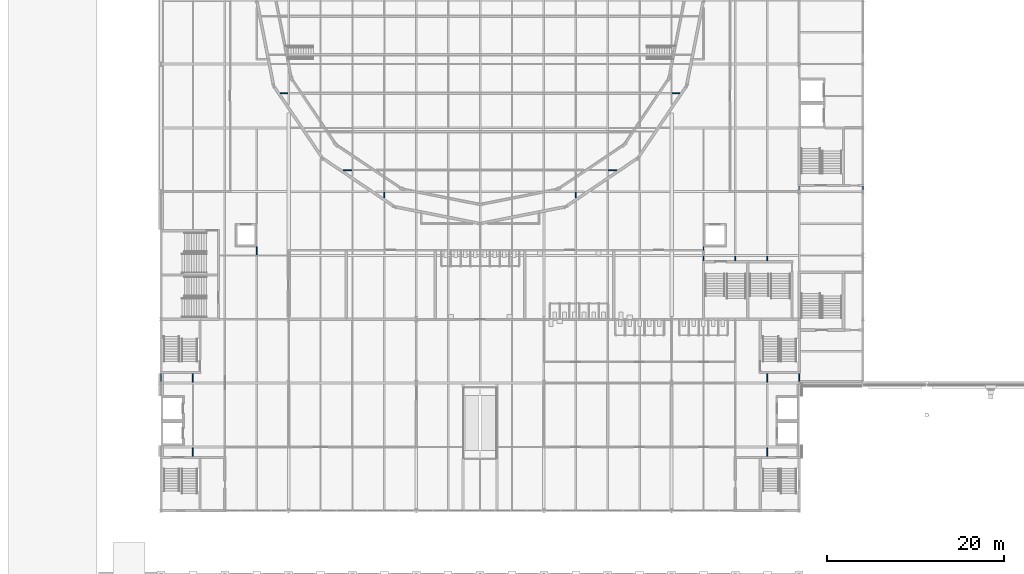
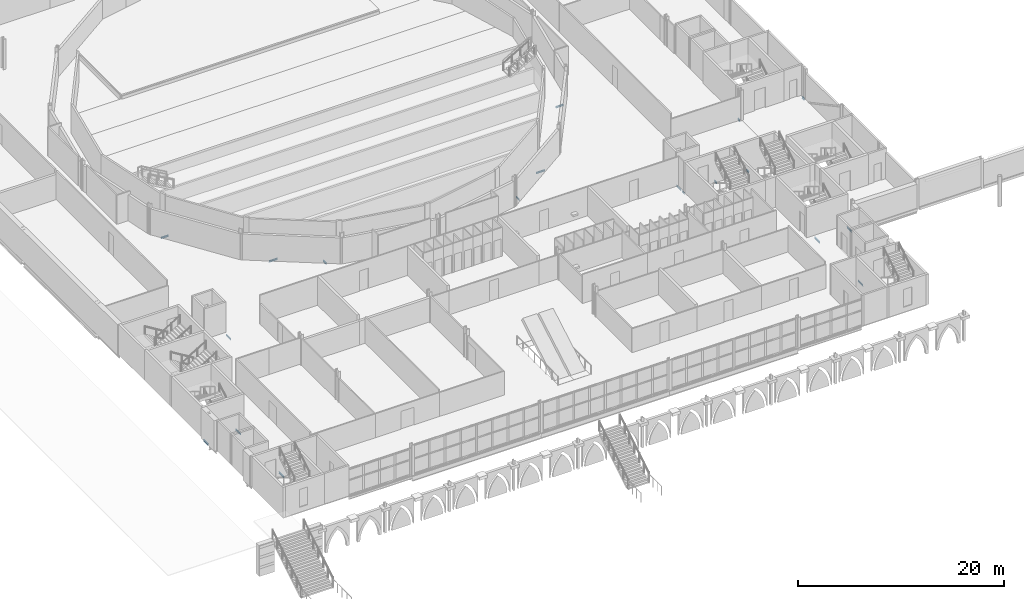
# One storey, part 39 of 90: 19 beams.
"""IFC4 building model written with IfcOpenShell, lengths in metres."""

from ifc_helpers import new_model, si_unit, direction, frame, origin, origin_2d, place, context, subcontext, project, spatial, i_section, extrude, material, material_profile, profile_set, type_object, element, save


model = new_model("IFC4")

# Units and contexts
model_context = context("Model", 3, precision=1e-05, world=origin(), true_north=direction((0.0, 1.0)))
body_context = subcontext(model_context, "Body", "Model", "MODEL_VIEW")
ifc_project = project(units=[si_unit("LENGTHUNIT", "METRE"), si_unit("AREAUNIT", "SQUARE_METRE"), si_unit("VOLUMEUNIT", "CUBIC_METRE"), si_unit("PLANEANGLEUNIT", "RADIAN"), si_unit("MASSUNIT", "GRAM", prefix="KILO")], contexts=[model_context])

# Site, building, storey
site_placement = place(None, origin())
site = spatial("IfcSite", under=ifc_project, at=site_placement, CompositionType="ELEMENT")
building_placement = place(site_placement, origin())
building = spatial("IfcBuilding", under=site, at=building_placement, Name="Kupolbacken Congress Centre", CompositionType="ELEMENT")
storey_placement = place(building_placement, frame((0.0, 0.0, 3.60009765625)))
storey = spatial("IfcBuildingStorey", under=building, at=storey_placement, Name="L01", CompositionType="ELEMENT", Elevation=3.60009765625)

# Beams
ifc_material = material(Name="Steel S355", Category="steel")
ifc_material_profile = material_profile(ifc_material, i_section(OverallWidth=0.10009765625, OverallDepth=0.199951171875, WebThickness=0.005615234375, FlangeThickness=0.008544921875, FilletRadius=0.011962890625, at=origin_2d()), Name="IPE 200")
ifc_profile_set = profile_set([ifc_material_profile], Name="Steel S355")
beam_type = type_object("IfcBeamType", Name="B01 beam IPE 200", PredefinedType="BEAM", material=ifc_profile_set)
for number, where, z_axis, x_axis, name in (
    (1, (7.199951171875, 43.35009765625, -0.280029296875), (0.0, 1.0, 0.0), (-1.0, 0.0, 0.0), "S/floor/F/L01/G003"),
    (2, (79.199951171875, 43.35009765625, -0.280029296875), (0.0, 1.0, 0.0), (-1.0, 0.0, 0.0), "S/floor/F/L01/G014"),
):
    element("IfcBeam", number, at=place(storey_placement, frame(where, z_axis=z_axis, x_axis=x_axis)), inside=storey, type_object=beam_type, Name=name, PredefinedType="BEAM", context=body_context, shape_type="SweptSolid", body=[
        extrude(i_section(OverallWidth=0.10009765625, OverallDepth=0.199951171875, WebThickness=0.005615234375, FlangeThickness=0.008544921875, FilletRadius=0.011962890625, at=origin_2d()), origin(), (0.0, 0.0, 1.0), 0.9248046875),
    ])
for number, where, z_axis, x_axis, name in (
    (3, (10.800048828125, 34.925048828125, -0.280029296875), (0.0, 1.0, 0.0), (-1.0, 0.0, 0.0), "S/floor/F/L01/S040"),
    (4, (10.800048828125, 43.31005859375, -0.280029296875), (0.0, 1.0, 0.0), (-1.0, 0.0, 0.0), "S/floor/F/L01/S042"),
    (5, (75.60009765625, 34.925048828125, -0.280029296875), (0.0, 1.0, 0.0), (-1.0, 0.0, 0.0), "S/floor/F/L01/S081"),
    (6, (75.60009765625, 43.31005859375, -0.280029296875), (0.0, 1.0, 0.0), (-1.0, 0.0, 0.0), "S/floor/F/L01/S083"),
):
    element("IfcBeam", number, at=place(storey_placement, frame(where, z_axis=z_axis, x_axis=x_axis)), inside=storey, type_object=beam_type, Name=name, PredefinedType="BEAM", context=body_context, shape_type="SweptSolid", body=[
        extrude(i_section(OverallWidth=0.10009765625, OverallDepth=0.199951171875, WebThickness=0.005615234375, FlangeThickness=0.008544921875, FilletRadius=0.011962890625, at=origin_2d()), origin(), (0.0, 0.0, 1.0), 0.96484375),
    ])
beam_1_placement = place(storey_placement, frame((79.199951171875, 65.02490234375, -0.2900390625), z_axis=(0.0, 1.0, 0.0), x_axis=(-1.0, 0.0, 0.0)))
element("IfcBeam", 7, at=beam_1_placement, inside=storey, type_object=beam_type, Name="S/floor/P/L01/G033", PredefinedType="BEAM", context=body_context, shape_type="SweptSolid", body=[
    extrude(i_section(OverallWidth=0.10009765625, OverallDepth=0.199951171875, WebThickness=0.005615234375, FlangeThickness=0.008544921875, FilletRadius=0.011962890625, at=origin_2d()), origin(), (0.0, 0.0, 1.0), 0.35009765625),
])
for number, where, z_axis, x_axis, name in (
    (8, (72.0, 57.02490234375, -0.2900390625), (0.0, 1.0, 0.0), (-1.0, 0.0, 0.0), "S/floor/P/L01/S140"),
    (9, (75.60009765625, 57.02490234375, -0.2900390625), (0.0, 1.0, 0.0), (-1.0, 0.0, 0.0), "S/floor/P/L01/S151"),
):
    element("IfcBeam", number, at=place(storey_placement, frame(where, z_axis=z_axis, x_axis=x_axis)), inside=storey, type_object=beam_type, Name=name, PredefinedType="BEAM", context=body_context, shape_type="SweptSolid", body=[
        extrude(i_section(OverallWidth=0.10009765625, OverallDepth=0.199951171875, WebThickness=0.005615234375, FlangeThickness=0.008544921875, FilletRadius=0.011962890625, at=origin_2d()), origin(), (0.0, 0.0, 1.0), 0.465087890625),
    ])
beam_2_placement = place(storey_placement, frame((18.0, 57.679931640625, -0.2900390625), z_axis=(0.0, 1.0, 0.0), x_axis=(-1.0, 0.0, 0.0)))
element("IfcBeam", 10, at=beam_2_placement, inside=storey, type_object=beam_type, Name="S/floor/P/L01/S162", PredefinedType="BEAM", context=body_context, shape_type="SweptSolid", body=[
    extrude(i_section(OverallWidth=0.10009765625, OverallDepth=0.199951171875, WebThickness=0.005615234375, FlangeThickness=0.008544921875, FilletRadius=0.011962890625, at=origin_2d()), origin(), (0.0, 0.0, 1.0), 0.920166015625),
])
beam_3_placement = place(storey_placement, frame((68.39990234375, 57.02490234375, -0.2900390625), z_axis=(0.0, 1.0, 0.0), x_axis=(-1.0, 0.0, 0.0)))
element("IfcBeam", 11, at=beam_3_placement, inside=storey, type_object=beam_type, Name="S/floor/P/L01/S165", PredefinedType="BEAM", context=body_context, shape_type="SweptSolid", body=[
    extrude(i_section(OverallWidth=0.10009765625, OverallDepth=0.199951171875, WebThickness=0.005615234375, FlangeThickness=0.008544921875, FilletRadius=0.011962890625, at=origin_2d()), origin(), (0.0, 0.0, 1.0), 0.465087890625),
])
beam_4_placement = place(storey_placement, frame((68.39990234375, 57.7099609375, -0.2900390625), z_axis=(0.0, 1.0, 0.0), x_axis=(-1.0, 0.0, 0.0)))
element("IfcBeam", 12, at=beam_4_placement, inside=storey, type_object=beam_type, Name="S/floor/P/L01/S166", PredefinedType="BEAM", context=body_context, shape_type="SweptSolid", body=[
    extrude(i_section(OverallWidth=0.10009765625, OverallDepth=0.199951171875, WebThickness=0.005615234375, FlangeThickness=0.008544921875, FilletRadius=0.011962890625, at=origin_2d()), origin(), (0.0, 0.0, 1.0), 0.89013671875),
])
for number, where, z_axis, x_axis, name in (
    (13, (20.68017578125, 75.912109375, -0.2900390625), (1.0, 0.0, 0.0), (0.0, 1.0, 0.0), "S/floor/PL/L01/R084"),
    (14, (64.875, 75.912109375, -0.2900390625), (1.0, 0.0, 0.0), (0.0, 1.0, 0.0), "S/floor/PL/L01/R091"),
):
    element("IfcBeam", number, at=place(storey_placement, frame(where, z_axis=z_axis, x_axis=x_axis)), inside=storey, type_object=beam_type, Name=name, PredefinedType="BEAM", context=body_context, shape_type="SweptSolid", body=[
        extrude(i_section(OverallWidth=0.10009765625, OverallDepth=0.199951171875, WebThickness=0.005615234375, FlangeThickness=0.008544921875, FilletRadius=0.011962890625, at=origin_2d()), origin(), (0.0, 0.0, 1.0), 0.8447265625),
    ])
beam_5_placement = place(storey_placement, frame((27.761962890625, 67.237060546875, -0.2900390625), z_axis=(1.0, 0.0, 0.0), x_axis=(0.0, 1.0, 0.0)))
element("IfcBeam", 15, at=beam_5_placement, inside=storey, type_object=beam_type, Name="S/floor/PL/L01/R098", PredefinedType="BEAM", context=body_context, shape_type="SweptSolid", body=[
    extrude(i_section(OverallWidth=0.10009765625, OverallDepth=0.199951171875, WebThickness=0.005615234375, FlangeThickness=0.008544921875, FilletRadius=0.011962890625, at=origin_2d()), origin(), (0.0, 0.0, 1.0), 0.963134765625),
])
beam_6_placement = place(storey_placement, frame((57.675048828125, 67.237060546875, -0.2900390625), z_axis=(1.0, 0.0, 0.0), x_axis=(0.0, 1.0, 0.0)))
element("IfcBeam", 16, at=beam_6_placement, inside=storey, type_object=beam_type, Name="S/floor/PL/L01/R103", PredefinedType="BEAM", context=body_context, shape_type="SweptSolid", body=[
    extrude(i_section(OverallWidth=0.10009765625, OverallDepth=0.199951171875, WebThickness=0.005615234375, FlangeThickness=0.008544921875, FilletRadius=0.011962890625, at=origin_2d()), origin(), (0.0, 0.0, 1.0), 0.962890625),
])
for number, where, z_axis, x_axis, name in (
    (17, (32.39990234375, 64.0908203125, -0.2900390625), (0.0, 1.0, 0.0), (-1.0, 0.0, 0.0), "S/floor/PL/L01/S114"),
    (18, (54.0, 64.0908203125, -0.2900390625), (0.0, 1.0, 0.0), (-1.0, 0.0, 0.0), "S/floor/PL/L01/S153"),
):
    element("IfcBeam", number, at=place(storey_placement, frame(where, z_axis=z_axis, x_axis=x_axis)), inside=storey, type_object=beam_type, Name=name, PredefinedType="BEAM", context=body_context, shape_type="SweptSolid", body=[
        extrude(i_section(OverallWidth=0.10009765625, OverallDepth=0.199951171875, WebThickness=0.005615234375, FlangeThickness=0.008544921875, FilletRadius=0.011962890625, at=origin_2d()), origin(), (0.0, 0.0, 1.0), 0.6416015625),
    ])
beam_7_placement = place(storey_placement, frame((86.39990234375, 65.044921875, -0.280029296875), z_axis=(0.0, 1.0, 0.0), x_axis=(-1.0, 0.0, 0.0)))
element("IfcBeam", 19, at=beam_7_placement, inside=storey, type_object=beam_type, Name="S/floor/LINK/L01/E004", PredefinedType="BEAM", context=body_context, shape_type="SweptSolid", body=[
    extrude(i_section(OverallWidth=0.10009765625, OverallDepth=0.199951171875, WebThickness=0.005615234375, FlangeThickness=0.008544921875, FilletRadius=0.011962890625, at=origin_2d()), origin(), (0.0, 0.0, 1.0), 0.35498046875),
])

save(model, "model.ifc")
